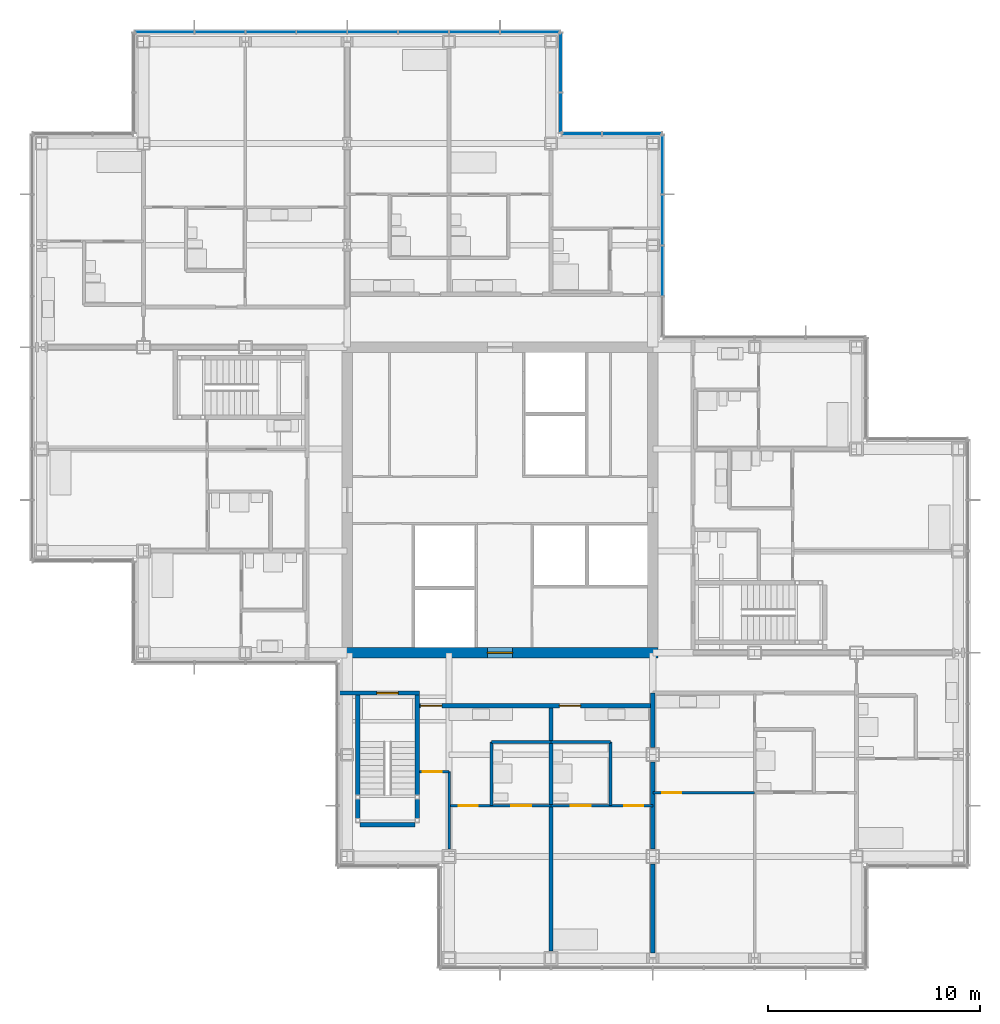
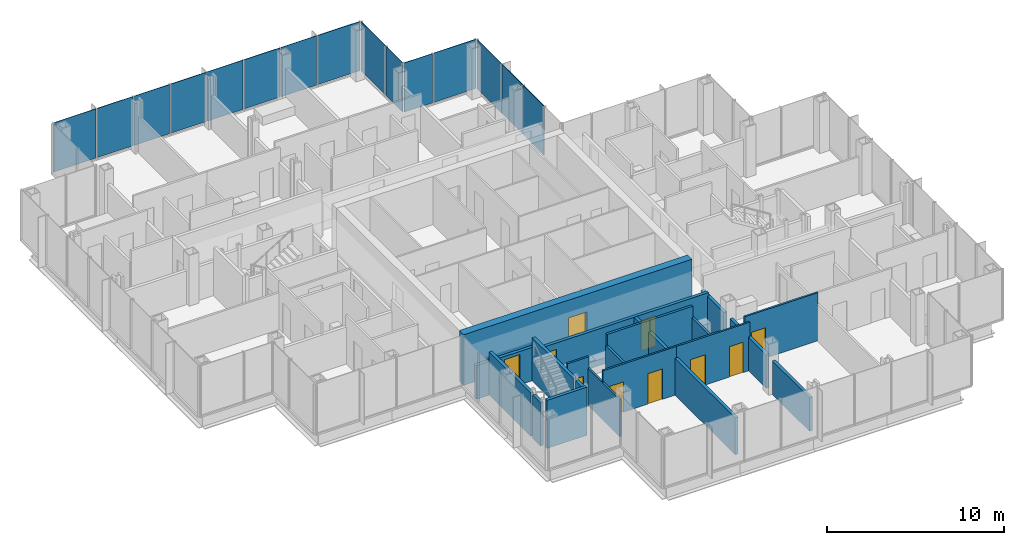
# One storey, part 13 of 20: 21 walls, 15 plates, 10 doors, 10 openings, 4 elements without a shape of their own.
"""IFC4 building model written with IfcOpenShell, lengths in metres."""

from ifc_helpers import new_model, si_unit, direction, frame, frame_2d, origin, origin_2d, place, context, subcontext, project, spatial, rectangle, extrude, material, layer, layer_set, type_object, element, fill, aggregate, save


model = new_model("IFC4")

# Units and contexts
model_context = context("Model", 3, precision=1e-05, world=origin(), true_north=direction((0.0, 1.0)))
body_context = subcontext(model_context, "Body", "Model", "MODEL_VIEW")
ifc_project = project(units=[si_unit("LENGTHUNIT", "METRE"), si_unit("AREAUNIT", "SQUARE_METRE"), si_unit("VOLUMEUNIT", "CUBIC_METRE"), si_unit("PLANEANGLEUNIT", "RADIAN"), si_unit("MASSUNIT", "GRAM", prefix="KILO")], contexts=[model_context])

# Site, building, storey
site_placement = place(None, origin())
site = spatial("IfcSite", under=ifc_project, at=site_placement, CompositionType="ELEMENT")
building_placement = place(site_placement, origin())
building = spatial("IfcBuilding", under=site, at=building_placement, Name="Kvirike Care Tower", CompositionType="ELEMENT")
storey_placement = place(building_placement, frame((0.0, 0.0, 101.5)))
storey = spatial("IfcBuildingStorey", under=building, at=storey_placement, Name="L27", CompositionType="ELEMENT", Elevation=101.5)

# Curtain wall, plates
ifc_material_1 = material(Name="Anodised aluminium stick system", Category="aluminium")
curtain_wall_type = type_object("IfcCurtainWallType", Name="CW-B STICK CURTAIN WALL", PredefinedType="NOTDEFINED", material=ifc_material_1)
curtain_wall_1_placement = place(storey_placement, origin())
curtain_wall_1 = element("IfcCurtainWall", 1, at=curtain_wall_1_placement, inside=storey, type_object=curtain_wall_type, Name="Curtain wall L27 face 5", PredefinedType="NOTDEFINED")
ifc_material_2 = material(Name="Tinted double glazed unit", Category="glass")
ifc_layer_1 = layer(ifc_material_2, 0.035888671875)
ifc_layer_set_1 = layer_set([ifc_layer_1], Name="TINTED VISION PANEL 36")
plate_type = type_object("IfcPlateType", Name="TINTED VISION PANEL 36", PredefinedType="CURTAIN_PANEL", material=ifc_layer_set_1)
plate_1_placement = place(storey_placement, frame((29.260009765625, 46.800048828125, 0.10009765625), z_axis=(0.0, 0.0, 1.0), x_axis=(0.0, 1.0, 0.0)))
plate_1 = element("IfcPlate", 2, at=plate_1_placement, type_object=plate_type, Name="CW-B panel L27 face 5.2", PredefinedType="CURTAIN_PANEL", context=body_context, shape_type="SweptSolid", body=[
    extrude(rectangle(XDim=2.3349609375, YDim=0.035888671875, at=origin_2d()), origin(), (0.0, 0.0, 1.0), 3.39990234375),
])
plate_2_placement = place(storey_placement, frame((29.260009765625, 49.199951171875, 0.10009765625), z_axis=(0.0, 0.0, 1.0), x_axis=(0.0, 1.0, 0.0)))
plate_2 = element("IfcPlate", 3, at=plate_2_placement, type_object=plate_type, Name="CW-B panel L27 face 5.3", PredefinedType="CURTAIN_PANEL", context=body_context, shape_type="SweptSolid", body=[
    extrude(rectangle(XDim=2.3349609375, YDim=0.035888671875, at=origin_2d()), origin(), (0.0, 0.0, 1.0), 3.39990234375),
])
plate_3_placement = place(storey_placement, frame((29.260009765625, 51.813720703125, 0.10009765625), z_axis=(0.0, 0.0, 1.0), x_axis=(0.0, 1.0, 0.0)))
plate_3 = element("IfcPlate", 4, at=plate_3_placement, type_object=plate_type, Name="CW-B panel L27 face 5.4", PredefinedType="CURTAIN_PANEL", context=body_context, shape_type="SweptSolid", body=[
    extrude(rectangle(XDim=2.762451171875, YDim=0.035888671875, at=origin_2d()), origin(), (0.0, 0.0, 1.0), 3.39990234375),
])
aggregate(curtain_wall_1, [plate_1, plate_2, plate_3])

curtain_wall_2_placement = place(storey_placement, origin())
curtain_wall_2 = element("IfcCurtainWall", 5, at=curtain_wall_2_placement, inside=storey, type_object=curtain_wall_type, Name="Curtain wall L27 face 6", PredefinedType="NOTDEFINED")
plate_4_placement = place(storey_placement, frame((27.813720703125, 53.260009765625, 0.10009765625), z_axis=(0.0, 0.0, 1.0), x_axis=(-1.0, 0.0, 0.0)))
plate_4 = element("IfcPlate", 6, at=plate_4_placement, type_object=plate_type, Name="CW-B panel L27 face 6.1", PredefinedType="CURTAIN_PANEL", context=body_context, shape_type="SweptSolid", body=[
    extrude(rectangle(XDim=2.762451171875, YDim=0.035888671875, at=origin_2d()), origin(), (0.0, 0.0, 1.0), 3.39990234375),
])
plate_5_placement = place(storey_placement, frame((25.4462890625, 53.260009765625, 0.10009765625), z_axis=(0.0, 0.0, 1.0), x_axis=(-1.0, 0.0, 0.0)))
plate_5 = element("IfcPlate", 7, at=plate_5_placement, type_object=plate_type, Name="CW-B panel L27 face 6.2", PredefinedType="CURTAIN_PANEL", context=body_context, shape_type="SweptSolid", body=[
    extrude(rectangle(XDim=1.842529296875, YDim=0.035888671875, at=origin_2d()), origin(), (0.0, 0.0, 1.0), 3.39990234375),
])
aggregate(curtain_wall_2, [plate_4, plate_5])

curtain_wall_3_placement = place(storey_placement, origin())
curtain_wall_3 = element("IfcCurtainWall", 8, at=curtain_wall_3_placement, inside=storey, type_object=curtain_wall_type, Name="Curtain wall L27 face 7", PredefinedType="NOTDEFINED")
plate_6_placement = place(storey_placement, frame((24.4599609375, 54.246337890625, 0.10009765625), z_axis=(0.0, 0.0, 1.0), x_axis=(0.0, 1.0, 0.0)))
plate_6 = element("IfcPlate", 9, at=plate_6_placement, type_object=plate_type, Name="CW-B panel L27 face 7.1", PredefinedType="CURTAIN_PANEL", context=body_context, shape_type="SweptSolid", body=[
    extrude(rectangle(XDim=1.842529296875, YDim=0.035888671875, at=origin_2d()), origin(), (0.0, 0.0, 1.0), 3.39990234375),
])
plate_7_placement = place(storey_placement, frame((24.4599609375, 56.61376953125, 0.10009765625), z_axis=(0.0, 0.0, 1.0), x_axis=(0.0, 1.0, 0.0)))
plate_7 = element("IfcPlate", 10, at=plate_7_placement, type_object=plate_type, Name="CW-B panel L27 face 7.2", PredefinedType="CURTAIN_PANEL", context=body_context, shape_type="SweptSolid", body=[
    extrude(rectangle(XDim=2.762451171875, YDim=0.035888671875, at=origin_2d()), origin(), (0.0, 0.0, 1.0), 3.39990234375),
])
aggregate(curtain_wall_3, [plate_6, plate_7])

curtain_wall_4_placement = place(storey_placement, origin())
curtain_wall_4 = element("IfcCurtainWall", 11, at=curtain_wall_4_placement, inside=storey, type_object=curtain_wall_type, Name="Curtain wall L27 face 8", PredefinedType="NOTDEFINED")
plate_8_placement = place(storey_placement, frame((23.013671875, 58.06005859375, 0.10009765625), z_axis=(0.0, 0.0, 1.0), x_axis=(-1.0, 0.0, 0.0)))
plate_8 = element("IfcPlate", 12, at=plate_8_placement, type_object=plate_type, Name="CW-B panel L27 face 8.1", PredefinedType="CURTAIN_PANEL", context=body_context, shape_type="SweptSolid", body=[
    extrude(rectangle(XDim=2.762451171875, YDim=0.035888671875, at=origin_2d()), origin(), (0.0, 0.0, 1.0), 3.39990234375),
])
plate_9_placement = place(storey_placement, frame((20.39990234375, 58.06005859375, 0.10009765625), z_axis=(0.0, 0.0, 1.0), x_axis=(-1.0, 0.0, 0.0)))
plate_9 = element("IfcPlate", 13, at=plate_9_placement, type_object=plate_type, Name="CW-B panel L27 face 8.2", PredefinedType="CURTAIN_PANEL", context=body_context, shape_type="SweptSolid", body=[
    extrude(rectangle(XDim=2.3349609375, YDim=0.035888671875, at=origin_2d()), origin(), (0.0, 0.0, 1.0), 3.39990234375),
])
plate_10_placement = place(storey_placement, frame((18.0, 58.06005859375, 0.10009765625), z_axis=(0.0, 0.0, 1.0), x_axis=(-1.0, 0.0, 0.0)))
plate_10 = element("IfcPlate", 14, at=plate_10_placement, type_object=plate_type, Name="CW-B panel L27 face 8.3", PredefinedType="CURTAIN_PANEL", context=body_context, shape_type="SweptSolid", body=[
    extrude(rectangle(XDim=2.3349609375, YDim=0.035888671875, at=origin_2d()), origin(), (0.0, 0.0, 1.0), 3.39990234375),
])
plate_11_placement = place(storey_placement, frame((15.60009765625, 58.06005859375, 0.10009765625), z_axis=(0.0, 0.0, 1.0), x_axis=(-1.0, 0.0, 0.0)))
plate_11 = element("IfcPlate", 15, at=plate_11_placement, type_object=plate_type, Name="CW-B panel L27 face 8.4", PredefinedType="CURTAIN_PANEL", context=body_context, shape_type="SweptSolid", body=[
    extrude(rectangle(XDim=2.3349609375, YDim=0.035888671875, at=origin_2d()), origin(), (0.0, 0.0, 1.0), 3.39990234375),
])
plate_12_placement = place(storey_placement, frame((13.199951171875, 58.06005859375, 0.10009765625), z_axis=(0.0, 0.0, 1.0), x_axis=(-1.0, 0.0, 0.0)))
plate_12 = element("IfcPlate", 16, at=plate_12_placement, type_object=plate_type, Name="CW-B panel L27 face 8.5", PredefinedType="CURTAIN_PANEL", context=body_context, shape_type="SweptSolid", body=[
    extrude(rectangle(XDim=2.3349609375, YDim=0.035888671875, at=origin_2d()), origin(), (0.0, 0.0, 1.0), 3.39990234375),
])
plate_13_placement = place(storey_placement, frame((10.800048828125, 58.06005859375, 0.10009765625), z_axis=(0.0, 0.0, 1.0), x_axis=(-1.0, 0.0, 0.0)))
plate_13 = element("IfcPlate", 17, at=plate_13_placement, type_object=plate_type, Name="CW-B panel L27 face 8.6", PredefinedType="CURTAIN_PANEL", context=body_context, shape_type="SweptSolid", body=[
    extrude(rectangle(XDim=2.3349609375, YDim=0.035888671875, at=origin_2d()), origin(), (0.0, 0.0, 1.0), 3.39990234375),
])
plate_14_placement = place(storey_placement, frame((8.39990234375, 58.06005859375, 0.10009765625), z_axis=(0.0, 0.0, 1.0), x_axis=(-1.0, 0.0, 0.0)))
plate_14 = element("IfcPlate", 18, at=plate_14_placement, type_object=plate_type, Name="CW-B panel L27 face 8.7", PredefinedType="CURTAIN_PANEL", context=body_context, shape_type="SweptSolid", body=[
    extrude(rectangle(XDim=2.3349609375, YDim=0.035888671875, at=origin_2d()), origin(), (0.0, 0.0, 1.0), 3.39990234375),
])
plate_15_placement = place(storey_placement, frame((5.7861328125, 58.06005859375, 0.10009765625), z_axis=(0.0, 0.0, 1.0), x_axis=(-1.0, 0.0, 0.0)))
plate_15 = element("IfcPlate", 19, at=plate_15_placement, type_object=plate_type, Name="CW-B panel L27 face 8.8", PredefinedType="CURTAIN_PANEL", context=body_context, shape_type="SweptSolid", body=[
    extrude(rectangle(XDim=2.762451171875, YDim=0.035888671875, at=origin_2d()), origin(), (0.0, 0.0, 1.0), 3.39990234375),
])
aggregate(curtain_wall_4, [plate_8, plate_9, plate_10, plate_11, plate_12, plate_13, plate_14, plate_15])

# Walls
ifc_material_3 = material(Name="Moisture-resistant board partition", Category="gypsum")
ifc_layer_2 = layer(ifc_material_3, 0.14990234375)
ifc_layer_set_2 = layer_set([ifc_layer_2], Name="BATHROOM WALL 150")
wall_type_1 = type_object("IfcWallType", Name="BATHROOM WALL 150", PredefinedType="PARTITIONING", material=ifc_layer_set_2)
wall_1_placement = place(storey_placement, frame((21.199951171875, 21.60009765625, 0.0), z_axis=(0.0, 0.0, 1.0), x_axis=(0.0, 1.0, 0.0)))
element("IfcWall", 20, at=wall_1_placement, inside=storey, type_object=wall_type_1, Name="Bathroom Wall 150 L27", PredefinedType="PARTITIONING", context=body_context, shape_type="SweptSolid", body=[
    extrude(rectangle(XDim=3.0, YDim=0.14990234375, at=frame_2d((1.5, 0.0))), origin(), (0.0, 0.0, 1.0), 2.550048828125),
])
wall_2_placement = place(storey_placement, frame((21.199951171875, 24.60009765625, 0.0), z_axis=(0.0, 0.0, 1.0), x_axis=(1.0, 0.0, 0.0)))
element("IfcWall", 21, at=wall_2_placement, inside=storey, type_object=wall_type_1, Name="Bathroom Wall 150 L27", PredefinedType="PARTITIONING", context=body_context, shape_type="SweptSolid", body=[
    extrude(rectangle(XDim=2.800048828125, YDim=0.14990234375, at=frame_2d((1.39990234375, 0.0))), origin(), (0.0, 0.0, 1.0), 3.330078125),
])
wall_3_placement = place(storey_placement, frame((26.800048828125, 21.60009765625, 0.0), z_axis=(0.0, 0.0, 1.0), x_axis=(0.0, 1.0, 0.0)))
element("IfcWall", 22, at=wall_3_placement, inside=storey, type_object=wall_type_1, Name="Bathroom Wall 150 L27", PredefinedType="PARTITIONING", context=body_context, shape_type="SweptSolid", body=[
    extrude(rectangle(XDim=3.0, YDim=0.14990234375, at=frame_2d((1.5, 0.0))), origin(), (0.0, 0.0, 1.0), 2.550048828125),
])
wall_4_placement = place(storey_placement, frame((24.0, 24.60009765625, 0.0), z_axis=(0.0, 0.0, 1.0), x_axis=(1.0, 0.0, 0.0)))
element("IfcWall", 23, at=wall_4_placement, inside=storey, type_object=wall_type_1, Name="Bathroom Wall 150 L27", PredefinedType="PARTITIONING", context=body_context, shape_type="SweptSolid", body=[
    extrude(rectangle(XDim=2.800048828125, YDim=0.14990234375, at=frame_2d((1.39990234375, 0.0))), origin(), (0.0, 0.0, 1.0), 3.330078125),
])

# Wall, opening, door
ifc_material_4 = material(Name="Concrete C50/60", Category="concrete")
ifc_layer_3 = layer(ifc_material_4, 0.5)
ifc_layer_set_3 = layer_set([ifc_layer_3], Name="CORE WALL 500 C50-60")
wall_type_2 = type_object("IfcWallType", Name="CORE WALL 500 C50-60", PredefinedType="SHEAR", material=ifc_layer_set_3)
wall_5_placement = place(storey_placement, frame((14.14990234375, 28.800048828125, -0.169921875), z_axis=(0.0, 0.0, 1.0), x_axis=(1.0, 0.0, 0.0)))
wall_5 = element("IfcWall", 24, at=wall_5_placement, inside=storey, type_object=wall_type_2, Name="Core wall S L27", PredefinedType="SHEAR", context=body_context, shape_type="SweptSolid", body=[
    extrude(rectangle(XDim=14.900146484375, YDim=0.5, at=frame_2d((7.4501953125, 0.0))), origin(), (0.0, 0.0, 1.0), 3.5),
])
opening_1_placement = place(wall_5_placement, frame((6.85009765625, 0.0, 0.169921875)))
opening_1 = element("IfcOpeningElement", 25, at=opening_1_placement, cuts=wall_5, Name="Opening 27-064", PredefinedType="OPENING", context=body_context, shape_type="SweptSolid", body=[
    extrude(rectangle(XDim=1.199951171875, YDim=2.10009765625, at=frame_2d((0.60009765625, 1.050048828125))), frame((0.0, 0.260498046875, 0.0), z_axis=(0.0, -1.0, 0.0), x_axis=(1.0, 0.0, 0.0)), (0.0, 0.0, 1.0), 0.52099609375),
])
ifc_material_5 = material(Name="Timber door set", Category="wood")
door_type_1 = type_object("IfcDoorType", Name="CORE DOOR 1200", OperationType="SINGLE_SWING_LEFT", PredefinedType="DOOR", material=ifc_material_5)
door_1_placement = place(opening_1_placement, origin())
door_1 = element("IfcDoor", 26, at=door_1_placement, inside=storey, type_object=door_type_1, Name="Core door S L27", OperationType="SINGLE_SWING_LEFT", OverallHeight=2.10009765625, OverallWidth=1.199951171875, PredefinedType="DOOR", context=body_context, shape_type="SweptSolid", body=[
    extrude(rectangle(XDim=1.199951171875, YDim=2.10009765625, at=frame_2d((0.60009765625, 1.050048828125))), frame((0.0, 0.02685546875, 0.0), z_axis=(0.0, -1.0, 0.0), x_axis=(1.0, 0.0, 0.0)), (0.0, 0.0, 1.0), 0.053955078125),
])
fill(opening_1, door_1)

# Wall, openings, doors
ifc_material_6 = material(Name="Plasterboard corridor wall", Category="gypsum")
ifc_layer_4 = layer(ifc_material_6, 0.199951171875)
ifc_layer_set_4 = layer_set([ifc_layer_4], Name="CORRIDOR WALL 200")
wall_type_3 = type_object("IfcWallType", Name="CORRIDOR WALL 200", PredefinedType="PARTITIONING", material=ifc_layer_set_4)
wall_6_placement = place(storey_placement, frame((17.800048828125, 26.300048828125, 0.0), z_axis=(0.0, 0.0, 1.0), x_axis=(1.0, 0.0, 0.0)))
wall_6 = element("IfcWall", 27, at=wall_6_placement, inside=storey, type_object=wall_type_3, Name="Corridor Wall 200 L27", PredefinedType="PARTITIONING", context=body_context, shape_type="SweptSolid", body=[
    extrude(rectangle(XDim=11.0, YDim=0.199951171875, at=frame_2d((5.5, 0.0))), origin(), (0.0, 0.0, 1.0), 2.550048828125),
])
opening_2_placement = place(wall_6_placement, frame((0.06005859375, 0.0, 0.0)))
opening_2 = element("IfcOpeningElement", 28, at=opening_2_placement, cuts=wall_6, Name="Opening 27-024", PredefinedType="OPENING", context=body_context, shape_type="SweptSolid", body=[
    extrude(rectangle(XDim=1.0, YDim=2.10009765625, at=frame_2d((0.5, 1.050048828125))), frame((0.0, 0.110595703125, 0.0), z_axis=(0.0, -1.0, 0.0), x_axis=(1.0, 0.0, 0.0)), (0.0, 0.0, 1.0), 0.220947265625),
])
opening_3_placement = place(wall_6_placement, frame((6.60009765625, 0.0, 0.0)))
opening_3 = element("IfcOpeningElement", 29, at=opening_3_placement, cuts=wall_6, Name="Opening 27-025", PredefinedType="OPENING", context=body_context, shape_type="SweptSolid", body=[
    extrude(rectangle(XDim=1.0, YDim=2.10009765625, at=frame_2d((0.5, 1.050048828125))), frame((0.0, 0.110595703125, 0.0), z_axis=(0.0, -1.0, 0.0), x_axis=(1.0, 0.0, 0.0)), (0.0, 0.0, 1.0), 0.220947265625),
])
ifc_material_7 = material(Name="Timber door set", Category="wood")
door_type_2 = type_object("IfcDoorType", Name="FLAT ENTRANCE DOOR 1000", OperationType="SINGLE_SWING_LEFT", PredefinedType="DOOR", material=ifc_material_7)
door_2_placement = place(opening_2_placement, frame((1.0, 0.0, 0.0), z_axis=(0.0, 0.0, 1.0), x_axis=(-1.0, 0.0, 0.0)))
door_2 = element("IfcDoor", 30, at=door_2_placement, inside=storey, type_object=door_type_2, Name="Accessible assisted living suite entrance", OperationType="SINGLE_SWING_LEFT", OverallHeight=2.10009765625, OverallWidth=1.0, PredefinedType="DOOR", context=body_context, shape_type="SweptSolid", body=[
    extrude(rectangle(XDim=1.0, YDim=2.10009765625, at=frame_2d((0.5, 1.050048828125))), frame((0.0, 0.02685546875, 0.0), z_axis=(0.0, -1.0, 0.0), x_axis=(1.0, 0.0, 0.0)), (0.0, 0.0, 1.0), 0.053955078125),
])
fill(opening_2, door_2)
door_3_placement = place(opening_3_placement, frame((1.0, 0.0, 0.0), z_axis=(0.0, 0.0, 1.0), x_axis=(-1.0, 0.0, 0.0)))
door_3 = element("IfcDoor", 31, at=door_3_placement, inside=storey, type_object=door_type_2, Name="Assisted living suite entrance", OperationType="SINGLE_SWING_LEFT", OverallHeight=2.10009765625, OverallWidth=1.0, PredefinedType="DOOR", context=body_context, shape_type="SweptSolid", body=[
    extrude(rectangle(XDim=1.0, YDim=2.10009765625, at=frame_2d((0.5, 1.050048828125))), frame((0.0, 0.02685546875, 0.0), z_axis=(0.0, -1.0, 0.0), x_axis=(1.0, 0.0, 0.0)), (0.0, 0.0, 1.0), 0.053955078125),
])
fill(opening_3, door_3)

# Wall, opening, door
ifc_material_8 = material(Name="Plasterboard partition", Category="gypsum")
ifc_layer_5 = layer(ifc_material_8, 0.1201171875)
ifc_layer_set_5 = layer_set([ifc_layer_5], Name="PARTITION 120")
wall_type_4 = type_object("IfcWallType", Name="PARTITION 120", PredefinedType="PARTITIONING", material=ifc_layer_set_5)
wall_7_placement = place(storey_placement, frame((17.800048828125, 23.199951171875, 0.0), z_axis=(0.0, 0.0, 1.0), x_axis=(1.0, 0.0, 0.0)))
wall_7 = element("IfcWall", 32, at=wall_7_placement, inside=storey, type_object=wall_type_4, Name="Partition 120 L27", PredefinedType="PARTITIONING", context=body_context, shape_type="SweptSolid", body=[
    extrude(rectangle(XDim=1.39990234375, YDim=0.1201171875, at=frame_2d((0.699951171875, 0.0))), origin(), (0.0, 0.0, 1.0), 3.330078125),
])
opening_4_placement = place(wall_7_placement, frame((0.14990234375, 0.0, 0.0)))
opening_4 = element("IfcOpeningElement", 33, at=opening_4_placement, cuts=wall_7, Name="Opening 27-019", PredefinedType="OPENING", context=body_context, shape_type="SweptSolid", body=[
    extrude(rectangle(XDim=0.89990234375, YDim=2.10009765625, at=frame_2d((0.449951171875, 1.050048828125))), frame((0.0, 0.070556640625, 0.0), z_axis=(0.0, -1.0, 0.0), x_axis=(1.0, 0.0, 0.0)), (0.0, 0.0, 1.0), 0.14111328125),
])
ifc_material_9 = material(Name="Timber door set", Category="wood")
door_type_3 = type_object("IfcDoorType", Name="INTERNAL DOOR 900", OperationType="SINGLE_SWING_LEFT", PredefinedType="DOOR", material=ifc_material_9)
door_4_placement = place(opening_4_placement, frame((0.89990234375, 0.0, 0.0), z_axis=(0.0, 0.0, 1.0), x_axis=(-1.0, 0.0, 0.0)))
door_4 = element("IfcDoor", 34, at=door_4_placement, inside=storey, type_object=door_type_3, Name="Suite sitting room door", OperationType="SINGLE_SWING_LEFT", OverallHeight=2.10009765625, OverallWidth=0.89990234375, PredefinedType="DOOR", context=body_context, shape_type="SweptSolid", body=[
    extrude(rectangle(XDim=0.89990234375, YDim=2.10009765625, at=frame_2d((0.449951171875, 1.050048828125))), frame((0.0, 0.02197265625, 0.0), z_axis=(0.0, -1.0, 0.0), x_axis=(1.0, 0.0, 0.0)), (0.0, 0.0, 1.0), 0.0439453125),
])
fill(opening_4, door_4)

# Wall, openings, doors
wall_8_placement = place(storey_placement, frame((19.199951171875, 21.60009765625, 0.0), z_axis=(0.0, 0.0, 1.0), x_axis=(1.0, 0.0, 0.0)))
wall_8 = element("IfcWall", 35, at=wall_8_placement, inside=storey, type_object=wall_type_4, Name="Partition 120 L27", PredefinedType="PARTITIONING", context=body_context, shape_type="SweptSolid", body=[
    extrude(rectangle(XDim=4.800048828125, YDim=0.1201171875, at=frame_2d((2.39990234375, 0.0))), origin(), (0.0, 0.0, 1.0), 3.330078125),
])
opening_5_placement = place(wall_8_placement, frame((0.449951171875, 0.0, 0.0)))
opening_5 = element("IfcOpeningElement", 36, at=opening_5_placement, cuts=wall_8, Name="Opening 27-020", PredefinedType="OPENING", context=body_context, shape_type="SweptSolid", body=[
    extrude(rectangle(XDim=0.89990234375, YDim=2.10009765625, at=frame_2d((0.449951171875, 1.050048828125))), frame((0.0, 0.070556640625, 0.0), z_axis=(0.0, -1.0, 0.0), x_axis=(1.0, 0.0, 0.0)), (0.0, 0.0, 1.0), 0.14111328125),
])
opening_6_placement = place(wall_8_placement, frame((2.925048828125, 0.0, 0.0)))
opening_6 = element("IfcOpeningElement", 37, at=opening_6_placement, cuts=wall_8, Name="Opening 27-021", PredefinedType="OPENING", context=body_context, shape_type="SweptSolid", body=[
    extrude(rectangle(XDim=0.949951171875, YDim=2.10009765625, at=frame_2d((0.47509765625, 1.050048828125))), frame((0.0, 0.070556640625, 0.0), z_axis=(0.0, -1.0, 0.0), x_axis=(1.0, 0.0, 0.0)), (0.0, 0.0, 1.0), 0.14111328125),
])
ifc_material_10 = material(Name="Timber door set", Category="wood")
door_type_4 = type_object("IfcDoorType", Name="EN-SUITE SLIDING DOOR 950", OperationType="SLIDING_TO_LEFT", PredefinedType="DOOR", material=ifc_material_10)
door_5_placement = place(opening_6_placement, origin())
door_5 = element("IfcDoor", 38, at=door_5_placement, inside=storey, type_object=door_type_4, Name="En-suite door", OperationType="SLIDING_TO_LEFT", OverallHeight=2.10009765625, OverallWidth=0.949951171875, PredefinedType="DOOR", context=body_context, shape_type="SweptSolid", body=[
    extrude(rectangle(XDim=0.949951171875, YDim=2.10009765625, at=frame_2d((0.47509765625, 1.050048828125))), frame((0.0, 0.02197265625, 0.0), z_axis=(0.0, -1.0, 0.0), x_axis=(1.0, 0.0, 0.0)), (0.0, 0.0, 1.0), 0.0439453125),
])
fill(opening_6, door_5)
door_6_placement = place(opening_5_placement, origin())
door_6 = element("IfcDoor", 39, at=door_6_placement, inside=storey, type_object=door_type_3, Name="Accessible assisted living suite door", OperationType="SINGLE_SWING_RIGHT", OverallHeight=2.10009765625, OverallWidth=0.89990234375, PredefinedType="DOOR", context=body_context, shape_type="SweptSolid", body=[
    extrude(rectangle(XDim=0.89990234375, YDim=2.10009765625, at=frame_2d((0.449951171875, 1.050048828125))), frame((0.0, 0.02197265625, 0.0), z_axis=(0.0, -1.0, 0.0), x_axis=(1.0, 0.0, 0.0)), (0.0, 0.0, 1.0), 0.0439453125),
])
fill(opening_5, door_6)

# Wall
wall_9_placement = place(storey_placement, frame((19.199951171875, 19.544921875, 0.0), z_axis=(0.0, 0.0, 1.0), x_axis=(0.0, 1.0, 0.0)))
element("IfcWall", 40, at=wall_9_placement, inside=storey, type_object=wall_type_4, Name="Partition 120 L27", PredefinedType="PARTITIONING", context=body_context, shape_type="SweptSolid", body=[
    extrude(rectangle(XDim=3.655029296875, YDim=0.1201171875, at=frame_2d((1.82763671875, 0.0))), origin(), (0.0, 0.0, 1.0), 2.550048828125),
])

# Wall, openings, doors
wall_10_placement = place(storey_placement, frame((24.0, 21.60009765625, 0.0), z_axis=(0.0, 0.0, 1.0), x_axis=(1.0, 0.0, 0.0)))
wall_10 = element("IfcWall", 41, at=wall_10_placement, inside=storey, type_object=wall_type_4, Name="Partition 120 L27", PredefinedType="PARTITIONING", context=body_context, shape_type="SweptSolid", body=[
    extrude(rectangle(XDim=4.800048828125, YDim=0.1201171875, at=frame_2d((2.39990234375, 0.0))), origin(), (0.0, 0.0, 1.0), 3.330078125),
])
opening_7_placement = place(wall_10_placement, frame((3.449951171875, 0.0, 0.0)))
opening_7 = element("IfcOpeningElement", 42, at=opening_7_placement, cuts=wall_10, Name="Opening 27-022", PredefinedType="OPENING", context=body_context, shape_type="SweptSolid", body=[
    extrude(rectangle(XDim=0.89990234375, YDim=2.10009765625, at=frame_2d((0.449951171875, 1.050048828125))), frame((0.0, 0.070556640625, 0.0), z_axis=(0.0, -1.0, 0.0), x_axis=(1.0, 0.0, 0.0)), (0.0, 0.0, 1.0), 0.14111328125),
])
opening_8_placement = place(wall_10_placement, frame((0.925048828125, 0.0, 0.0)))
opening_8 = element("IfcOpeningElement", 43, at=opening_8_placement, cuts=wall_10, Name="Opening 27-023", PredefinedType="OPENING", context=body_context, shape_type="SweptSolid", body=[
    extrude(rectangle(XDim=0.949951171875, YDim=2.10009765625, at=frame_2d((0.47509765625, 1.050048828125))), frame((0.0, 0.070556640625, 0.0), z_axis=(0.0, -1.0, 0.0), x_axis=(1.0, 0.0, 0.0)), (0.0, 0.0, 1.0), 0.14111328125),
])
door_7_placement = place(opening_8_placement, origin())
door_7 = element("IfcDoor", 44, at=door_7_placement, inside=storey, type_object=door_type_4, Name="En-suite door", OperationType="SLIDING_TO_RIGHT", OverallHeight=2.10009765625, OverallWidth=0.949951171875, PredefinedType="DOOR", context=body_context, shape_type="SweptSolid", body=[
    extrude(rectangle(XDim=0.949951171875, YDim=2.10009765625, at=frame_2d((0.47509765625, 1.050048828125))), frame((0.0, 0.02197265625, 0.0), z_axis=(0.0, -1.0, 0.0), x_axis=(1.0, 0.0, 0.0)), (0.0, 0.0, 1.0), 0.0439453125),
])
fill(opening_8, door_7)
door_8_placement = place(opening_7_placement, origin())
door_8 = element("IfcDoor", 45, at=door_8_placement, inside=storey, type_object=door_type_3, Name="Assisted living suite door", OperationType="SINGLE_SWING_LEFT", OverallHeight=2.10009765625, OverallWidth=0.89990234375, PredefinedType="DOOR", context=body_context, shape_type="SweptSolid", body=[
    extrude(rectangle(XDim=0.89990234375, YDim=2.10009765625, at=frame_2d((0.449951171875, 1.050048828125))), frame((0.0, 0.02197265625, 0.0), z_axis=(0.0, -1.0, 0.0), x_axis=(1.0, 0.0, 0.0)), (0.0, 0.0, 1.0), 0.0439453125),
])
fill(opening_7, door_8)

# Wall, opening, door
wall_11_placement = place(storey_placement, frame((28.800048828125, 22.199951171875, 0.0), z_axis=(0.0, 0.0, 1.0), x_axis=(1.0, 0.0, 0.0)))
wall_11 = element("IfcWall", 46, at=wall_11_placement, inside=storey, type_object=wall_type_4, Name="Partition 120 L27", PredefinedType="PARTITIONING", context=body_context, shape_type="SweptSolid", body=[
    extrude(rectangle(XDim=4.800048828125, YDim=0.1201171875, at=frame_2d((2.39990234375, 0.0))), origin(), (0.0, 0.0, 1.0), 3.330078125),
])
opening_9_placement = place(wall_11_placement, frame((0.449951171875, 0.0, 0.0)))
opening_9 = element("IfcOpeningElement", 47, at=opening_9_placement, cuts=wall_11, Name="Opening 27-036", PredefinedType="OPENING", context=body_context, shape_type="SweptSolid", body=[
    extrude(rectangle(XDim=0.89990234375, YDim=2.10009765625, at=frame_2d((0.449951171875, 1.050048828125))), frame((0.0, 0.070556640625, 0.0), z_axis=(0.0, -1.0, 0.0), x_axis=(1.0, 0.0, 0.0)), (0.0, 0.0, 1.0), 0.14111328125),
])
door_9_placement = place(opening_9_placement, origin())
door_9 = element("IfcDoor", 48, at=door_9_placement, inside=storey, type_object=door_type_3, Name="Suite sitting room door", OperationType="SINGLE_SWING_RIGHT", OverallHeight=2.10009765625, OverallWidth=0.89990234375, PredefinedType="DOOR", context=body_context, shape_type="SweptSolid", body=[
    extrude(rectangle(XDim=0.89990234375, YDim=2.10009765625, at=frame_2d((0.449951171875, 1.050048828125))), frame((0.0, 0.02197265625, 0.0), z_axis=(0.0, -1.0, 0.0), x_axis=(1.0, 0.0, 0.0)), (0.0, 0.0, 1.0), 0.0439453125),
])
fill(opening_9, door_9)

# Walls
ifc_material_11 = material(Name="Plasterboard party wall", Category="gypsum")
ifc_layer_6 = layer(ifc_material_11, 0.199951171875)
ifc_layer_set_6 = layer_set([ifc_layer_6], Name="PARTY WALL 200")
wall_type_5 = type_object("IfcWallType", Name="PARTY WALL 200", PredefinedType="PARTITIONING", material=ifc_layer_set_6)
wall_12_placement = place(storey_placement, frame((24.0, 14.7451171875, 0.0), z_axis=(0.0, 0.0, 1.0), x_axis=(0.0, 1.0, 0.0)))
element("IfcWall", 49, at=wall_12_placement, inside=storey, type_object=wall_type_5, Name="Party Wall 200 L27", PredefinedType="PARTITIONING", context=body_context, shape_type="SweptSolid", body=[
    extrude(rectangle(XDim=11.454833984375, YDim=0.199951171875, at=frame_2d((5.7275390625, 0.0))), origin(), (0.0, 0.0, 1.0), 2.550048828125),
])
wall_13_placement = place(storey_placement, frame((28.800048828125, 14.64697265625, 0.0), z_axis=(0.0, 0.0, 1.0), x_axis=(0.0, 1.0, 0.0)))
element("IfcWall", 50, at=wall_13_placement, inside=storey, type_object=wall_type_5, Name="Party Wall 200 L27", PredefinedType="PARTITIONING", context=body_context, shape_type="SweptSolid", body=[
    extrude(rectangle(XDim=4.2080078125, YDim=0.199951171875, at=frame_2d((2.10400390625, 0.0))), origin(), (0.0, 0.0, 1.0), 2.320068359375),
])
wall_14_placement = place(storey_placement, frame((28.800048828125, 19.544921875, 0.0), z_axis=(0.0, 0.0, 1.0), x_axis=(0.0, 1.0, 0.0)))
element("IfcWall", 51, at=wall_14_placement, inside=storey, type_object=wall_type_5, Name="Party Wall 200 L27", PredefinedType="PARTITIONING", context=body_context, shape_type="SweptSolid", body=[
    extrude(rectangle(XDim=4.110107421875, YDim=0.199951171875, at=frame_2d((2.05517578125, 0.0))), origin(), (0.0, 0.0, 1.0), 2.320068359375),
])
wall_15_placement = place(storey_placement, frame((28.800048828125, 24.344970703125, 0.0), z_axis=(0.0, 0.0, 1.0), x_axis=(0.0, 1.0, 0.0)))
element("IfcWall", 52, at=wall_15_placement, inside=storey, type_object=wall_type_5, Name="Party Wall 200 L27", PredefinedType="PARTITIONING", context=body_context, shape_type="SweptSolid", body=[
    extrude(rectangle(XDim=2.554931640625, YDim=0.199951171875, at=frame_2d((1.27734375, 0.0))), origin(), (0.0, 0.0, 1.0), 2.320068359375),
])
ifc_material_12 = material(Name="Concrete C40/50", Category="concrete")
ifc_layer_7 = layer(ifc_material_12, 0.199951171875)
ifc_layer_set_7 = layer_set([ifc_layer_7], Name="STAIR WALL 200")
wall_type_6 = type_object("IfcWallType", Name="STAIR WALL 200", PredefinedType="SOLIDWALL", material=ifc_layer_set_7)
wall_16_placement = place(storey_placement, frame((14.89990234375, 21.0, 0.0), z_axis=(0.0, 0.0, 1.0), x_axis=(0.0, 1.0, 0.0)))
element("IfcWall", 53, at=wall_16_placement, inside=storey, type_object=wall_type_6, Name="Stair Wall 200 L27", PredefinedType="SOLIDWALL", context=body_context, shape_type="SweptSolid", body=[
    extrude(rectangle(XDim=0.89990234375, YDim=0.199951171875, at=frame_2d((0.449951171875, 0.0))), origin(), (0.0, 0.0, 1.0), 2.989990234375),
])
wall_17_placement = place(storey_placement, frame((14.89990234375, 22.10009765625, 0.0), z_axis=(0.0, 0.0, 1.0), x_axis=(0.0, 1.0, 0.0)))
element("IfcWall", 54, at=wall_17_placement, inside=storey, type_object=wall_type_6, Name="Stair Wall 200 L27", PredefinedType="SOLIDWALL", context=body_context, shape_type="SweptSolid", body=[
    extrude(rectangle(XDim=4.699951171875, YDim=0.199951171875, at=frame_2d((2.35009765625, 0.0))), origin(), (0.0, 0.0, 1.0), 2.989990234375),
])
wall_18_placement = place(storey_placement, frame((17.699951171875, 21.0, 0.0), z_axis=(0.0, 0.0, 1.0), x_axis=(0.0, 1.0, 0.0)))
element("IfcWall", 55, at=wall_18_placement, inside=storey, type_object=wall_type_6, Name="Stair Wall 200 L27", PredefinedType="SOLIDWALL", context=body_context, shape_type="SweptSolid", body=[
    extrude(rectangle(XDim=0.89990234375, YDim=0.199951171875, at=frame_2d((0.449951171875, 0.0))), origin(), (0.0, 0.0, 1.0), 2.989990234375),
])
wall_19_placement = place(storey_placement, frame((17.699951171875, 22.10009765625, 0.0), z_axis=(0.0, 0.0, 1.0), x_axis=(0.0, 1.0, 0.0)))
element("IfcWall", 56, at=wall_19_placement, inside=storey, type_object=wall_type_6, Name="Stair Wall 200 L27", PredefinedType="SOLIDWALL", context=body_context, shape_type="SweptSolid", body=[
    extrude(rectangle(XDim=4.699951171875, YDim=0.199951171875, at=frame_2d((2.35009765625, 0.0))), origin(), (0.0, 0.0, 1.0), 2.989990234375),
])
wall_20_placement = place(storey_placement, frame((15.0, 20.699951171875, 0.0), z_axis=(0.0, 0.0, 1.0), x_axis=(1.0, 0.0, 0.0)))
element("IfcWall", 57, at=wall_20_placement, inside=storey, type_object=wall_type_6, Name="Stair Wall 200 L27", PredefinedType="SOLIDWALL", context=body_context, shape_type="SweptSolid", body=[
    extrude(rectangle(XDim=2.60009765625, YDim=0.199951171875, at=frame_2d((1.300048828125, 0.0))), origin(), (0.0, 0.0, 1.0), 3.330078125),
])

# Wall, opening, door
wall_21_placement = place(storey_placement, frame((13.9599609375, 26.89990234375, 0.0), z_axis=(0.0, 0.0, 1.0), x_axis=(1.0, 0.0, 0.0)))
wall_21 = element("IfcWall", 58, at=wall_21_placement, inside=storey, type_object=wall_type_6, Name="Stair Wall 200 L27", PredefinedType="SOLIDWALL", context=body_context, shape_type="SweptSolid", body=[
    extrude(rectangle(XDim=3.840087890625, YDim=0.199951171875, at=frame_2d((1.919921875, 0.0))), origin(), (0.0, 0.0, 1.0), 2.320068359375),
])
opening_10_placement = place(wall_21_placement, frame((1.840087890625, 0.0, 0.0)))
opening_10 = element("IfcOpeningElement", 59, at=opening_10_placement, cuts=wall_21, Name="Opening 27-018", PredefinedType="OPENING", context=body_context, shape_type="SweptSolid", body=[
    extrude(rectangle(XDim=1.0, YDim=2.10009765625, at=frame_2d((0.5, 1.050048828125))), frame((0.0, 0.110595703125, 0.0), z_axis=(0.0, -1.0, 0.0), x_axis=(1.0, 0.0, 0.0)), (0.0, 0.0, 1.0), 0.220947265625),
])
ifc_material_13 = material(Name="Timber door set", Category="wood")
door_type_5 = type_object("IfcDoorType", Name="STAIR DOOR 1000", OperationType="SINGLE_SWING_LEFT", PredefinedType="DOOR", material=ifc_material_13)
door_10_placement = place(opening_10_placement, frame((1.0, 0.0, 0.0), z_axis=(0.0, 0.0, 1.0), x_axis=(-1.0, 0.0, 0.0)))
door_10 = element("IfcDoor", 60, at=door_10_placement, inside=storey, type_object=door_type_5, Name="Stair 5 door", OperationType="SINGLE_SWING_LEFT", OverallHeight=2.10009765625, OverallWidth=1.0, PredefinedType="DOOR", context=body_context, shape_type="SweptSolid", body=[
    extrude(rectangle(XDim=1.0, YDim=2.10009765625, at=frame_2d((0.5, 1.050048828125))), frame((0.0, 0.031982421875, 0.0), z_axis=(0.0, -1.0, 0.0), x_axis=(1.0, 0.0, 0.0)), (0.0, 0.0, 1.0), 0.06396484375),
])
fill(opening_10, door_10)

save(model, "model.ifc")
